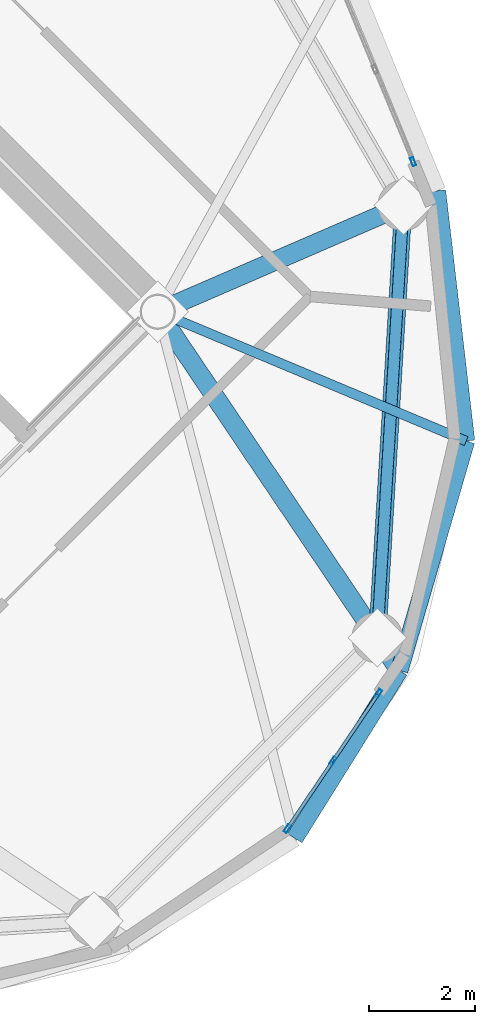
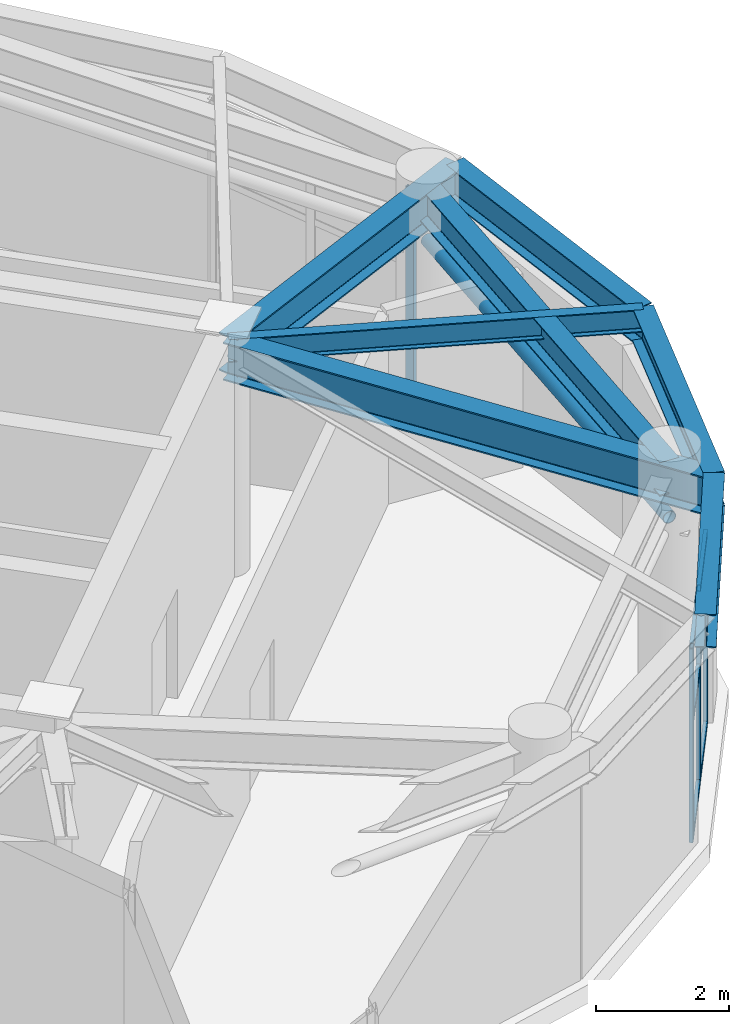
# One storey, part 19 of 26: 11 members, 7 beams, 2 elements without a shape of their own.
"""IFC4 building model written with IfcOpenShell, lengths in metres."""

from ifc_helpers import new_model, si_unit, direction, frame, origin, origin_2d, place, context, subcontext, project, spatial, hollow_rectangle, hollow_circle, i_section, extrude, material, layer, layer_set, material_profile, profile_set, type_object, element, aggregate, save


model = new_model("IFC4")

# Units and contexts
model_context = context("Model", 3, precision=1e-05, world=origin(), true_north=direction((0.0, 1.0)))
body_context = subcontext(model_context, "Body", "Model", "MODEL_VIEW")
ifc_project = project(units=[si_unit("LENGTHUNIT", "METRE"), si_unit("AREAUNIT", "SQUARE_METRE"), si_unit("VOLUMEUNIT", "CUBIC_METRE"), si_unit("PLANEANGLEUNIT", "RADIAN"), si_unit("MASSUNIT", "GRAM", prefix="KILO")], contexts=[model_context])

# Site, building, storey
site_placement = place(None, origin())
site = spatial("IfcSite", under=ifc_project, at=site_placement, CompositionType="ELEMENT")
building_placement = place(site_placement, origin())
building = spatial("IfcBuilding", under=site, at=building_placement, Name="Cununo Teusaquillo Station Towers", CompositionType="ELEMENT")
storey_placement = place(building_placement, frame((0.0, 0.0, 240.330078125)))
storey = spatial("IfcBuildingStorey", under=building, at=storey_placement, Name="L76", CompositionType="ELEMENT", Elevation=240.330078125)

# Beams
ifc_material_1 = material(Name="Steel ASTM A572 Grade 50", Category="steel")
ifc_material_profile_1 = material_profile(ifc_material_1, i_section(OverallWidth=0.180908203125, OverallDepth=0.4169921875, WebThickness=0.010986328125, FlangeThickness=0.018310546875, FilletRadius=0.012939453125, at=origin_2d()), Name="W16X57")
ifc_profile_set_1 = profile_set([ifc_material_profile_1], Name="Steel ASTM A572 Grade 50")
beam_type_1 = type_object("IfcBeamType", Name="BM-JOIST-1", PredefinedType="JOIST", material=ifc_profile_set_1)
beam_1_placement = place(storey_placement, frame((66.024169921875, 23.29443359375, 3.991455078125), z_axis=(0.922169338565, -0.386786389381, 0.0), x_axis=(0.386786389381, 0.922169338565, 0.0)))
element("IfcBeam", 1, at=beam_1_placement, inside=storey, type_object=beam_type_1, Name="L76 Tower B Radial Spandrel Joist V17", PredefinedType="JOIST", context=body_context, shape_type="SweptSolid", body=[
    extrude(i_section(OverallWidth=0.180908203125, OverallDepth=0.4169921875, WebThickness=0.010986328125, FlangeThickness=0.018310546875, FilletRadius=0.012939453125, at=origin_2d()), origin(), (0.0, 0.0, 1.0), 6.281005859375),
])
ifc_material_2 = material(Name="Steel ASTM A572 Grade 50", Category="steel")
ifc_material_profile_2 = material_profile(ifc_material_2, i_section(OverallWidth=0.35498046875, OverallDepth=0.696044921875, WebThickness=0.015380859375, FlangeThickness=0.02490234375, FilletRadius=0.01806640625, at=origin_2d()), Name="W27X146")
ifc_profile_set_2 = profile_set([ifc_material_profile_2], Name="Steel ASTM A572 Grade 50")
beam_type_2 = type_object("IfcBeamType", Name="BM-PLNT-G1", PredefinedType="BEAM", material=ifc_profile_set_2)
beam_2_placement = place(storey_placement, frame((66.024169921875, 23.29443359375, 3.851806640625), z_axis=(0.558570844079, -0.829456817529, 0.0), x_axis=(0.829456817529, 0.558570844079, 0.0)))
element("IfcBeam", 2, at=beam_2_placement, inside=storey, type_object=beam_type_2, Name="L76 Tower B Continuous Overhanging Radial Girder 09", PredefinedType="BEAM", context=body_context, shape_type="SweptSolid", body=[
    extrude(i_section(OverallWidth=0.35498046875, OverallDepth=0.696044921875, WebThickness=0.015380859375, FlangeThickness=0.02490234375, FilletRadius=0.01806640625, at=origin_2d()), origin(), (0.0, 0.0, 1.0), 8.1240234375),
])
beam_3_placement = place(storey_placement, frame((66.024169921875, 23.29443359375, 3.851806640625), z_axis=(0.917665176837, 0.397354530893, 0.0), x_axis=(-0.397354530893, 0.917665176837, 0.0)))
element("IfcBeam", 3, at=beam_3_placement, inside=storey, type_object=beam_type_2, Name="L76 Tower B Continuous Overhanging Radial Girder 10", PredefinedType="BEAM", context=body_context, shape_type="SweptSolid", body=[
    extrude(i_section(OverallWidth=0.35498046875, OverallDepth=0.696044921875, WebThickness=0.015380859375, FlangeThickness=0.02490234375, FilletRadius=0.01806640625, at=origin_2d()), origin(), (0.0, 0.0, 1.0), 5.716552734375),
])
ifc_material_3 = material(Name="Steel ASTM A572 Grade 50", Category="steel")
ifc_material_profile_3 = material_profile(ifc_material_3, i_section(OverallWidth=0.324951171875, OverallDepth=0.615966796875, WebThickness=0.013916015625, FlangeThickness=0.021484375, FilletRadius=0.01611328125, at=origin_2d()), Name="W24X117")
ifc_profile_set_3 = profile_set([ifc_material_profile_3], Name="Steel ASTM A572 Grade 50")
beam_type_3 = type_object("IfcBeamType", Name="BM-PLNT-G2", PredefinedType="BEAM", material=ifc_profile_set_3)
beam_4_placement = place(storey_placement, frame((70.146240234375, 17.173095703125, 3.891845703125), z_axis=(0.06012979176, 0.998190567048, 0.0), x_axis=(-0.998190567048, 0.06012979176, 0.0)))
element("IfcBeam", 4, at=beam_4_placement, inside=storey, type_object=beam_type_3, Name="L76 Tower B Structural Column Ring Girder 09", PredefinedType="BEAM", context=body_context, shape_type="SweptSolid", body=[
    extrude(i_section(OverallWidth=0.324951171875, OverallDepth=0.615966796875, WebThickness=0.013916015625, FlangeThickness=0.021484375, FilletRadius=0.01611328125, at=origin_2d()), origin(), (0.0, 0.0, 1.0), 8.132568359375),
])
beam_5_placement = place(storey_placement, frame((68.594482421875, 13.405517578125, 3.891845703125), z_axis=(0.529715312739, 0.848175505099, 0.0), x_axis=(-0.848175505099, 0.529715312739, 0.0)))
element("IfcBeam", 5, at=beam_5_placement, inside=storey, type_object=beam_type_3, Name="L76 Tower B Spandrel Ring Beam 16", PredefinedType="BEAM", context=body_context, shape_type="SweptSolid", body=[
    extrude(i_section(OverallWidth=0.324951171875, OverallDepth=0.615966796875, WebThickness=0.013916015625, FlangeThickness=0.021484375, FilletRadius=0.01611328125, at=origin_2d()), origin(), (0.0, 0.0, 1.0), 3.71435546875),
])
beam_6_placement = place(storey_placement, frame((70.56201171875, 16.555908203125, 3.891845703125), z_axis=(0.279502797802, 0.96014487762, 0.0), x_axis=(-0.96014487762, 0.279502797802, 0.0)))
element("IfcBeam", 6, at=beam_6_placement, inside=storey, type_object=beam_type_3, Name="L76 Tower B Spandrel Ring Beam 17", PredefinedType="BEAM", context=body_context, shape_type="SweptSolid", body=[
    extrude(i_section(OverallWidth=0.324951171875, OverallDepth=0.615966796875, WebThickness=0.013916015625, FlangeThickness=0.021484375, FilletRadius=0.01611328125, at=origin_2d()), origin(), (0.0, 0.0, 1.0), 4.488037109375),
])
beam_7_placement = place(storey_placement, frame((71.81640625, 20.864990234375, 3.891845703125), z_axis=(-0.115452326356, 0.993313022334, 0.0), x_axis=(-0.993313022334, -0.115452326356, 0.0)))
element("IfcBeam", 7, at=beam_7_placement, inside=storey, type_object=beam_type_3, Name="L76 Tower B Spandrel Ring Beam 18", PredefinedType="BEAM", context=body_context, shape_type="SweptSolid", body=[
    extrude(i_section(OverallWidth=0.324951171875, OverallDepth=0.615966796875, WebThickness=0.013916015625, FlangeThickness=0.021484375, FilletRadius=0.01611328125, at=origin_2d()), origin(), (0.0, 0.0, 1.0), 4.732666015625),
])

# Curtain wall, members
ifc_material_4 = material(Name="Ceramic-fritted dark low-E double glazing", Category="glass")
ifc_layer = layer(ifc_material_4, 0.179931640625)
ifc_layer_set = layer_set([ifc_layer], Name="Ceramic-fritted dark low-E double glazing")
curtain_wall_type = type_object("IfcCurtainWallType", Name="CW-SYS-08", PredefinedType="USERDEFINED", material=ifc_layer_set)
curtain_wall_1_placement = place(storey_placement, origin())
curtain_wall_1 = element("IfcCurtainWall", 8, at=curtain_wall_1_placement, inside=storey, type_object=curtain_wall_type, Name="L76 Tower B Crown Drum Glazed Screen C15", ObjectType="FRITTED GLAZING", PredefinedType="USERDEFINED")
ifc_material_5 = material(Name="Anodised dark bronze aluminium EN AW-6063-T6", Category="aluminium")
ifc_material_profile_4 = material_profile(ifc_material_5, hollow_rectangle(XDim=0.06494140625, YDim=0.159912109375, WallThickness=0.00390625, at=origin_2d()), Name="CW-MULL-65x160")
ifc_profile_set_4 = profile_set([ifc_material_profile_4], Name="Anodised dark bronze aluminium EN AW-6063-T6")
member_type_1 = type_object("IfcMemberType", Name="CWM-160", PredefinedType="MULLION", material=ifc_profile_set_4)
member_1_placement = place(storey_placement, frame((70.16943359375, 16.124755859375, 0.0), z_axis=(0.0, 0.0, 1.0), x_axis=(0.82882716121, -0.559504724592, 0.0)))
member_1 = element("IfcMember", 9, at=member_1_placement, type_object=member_type_1, Name="CW-08 mullion 1", PredefinedType="MULLION", context=body_context, shape_type="SweptSolid", body=[
    extrude(hollow_rectangle(XDim=0.06494140625, YDim=0.159912109375, WallThickness=0.00390625, at=origin_2d()), origin(), (0.0, 0.0, 1.0), 3.555908203125),
])
member_2_placement = place(storey_placement, frame((69.313232421875, 14.8564453125, 0.0), z_axis=(0.0, 0.0, 1.0), x_axis=(0.82882716121, -0.559504724592, 0.0)))
member_2 = element("IfcMember", 10, at=member_2_placement, type_object=member_type_1, Name="CW-08 mullion 2", PredefinedType="MULLION", context=body_context, shape_type="SweptSolid", body=[
    extrude(hollow_rectangle(XDim=0.06494140625, YDim=0.159912109375, WallThickness=0.00390625, at=origin_2d()), origin(), (0.0, 0.0, 1.0), 3.555908203125),
])
member_3_placement = place(storey_placement, frame((68.45703125, 13.588134765625, 0.0), z_axis=(0.0, 0.0, 1.0), x_axis=(0.82882716121, -0.559504724592, 0.0)))
member_3 = element("IfcMember", 11, at=member_3_placement, type_object=member_type_1, Name="CW-08 mullion 3", PredefinedType="MULLION", context=body_context, shape_type="SweptSolid", body=[
    extrude(hollow_rectangle(XDim=0.06494140625, YDim=0.159912109375, WallThickness=0.00390625, at=origin_2d()), origin(), (0.0, 0.0, 1.0), 3.555908203125),
])

# Curtain wall, member
curtain_wall_2_placement = place(storey_placement, origin())
curtain_wall_2 = element("IfcCurtainWall", 12, at=curtain_wall_2_placement, inside=storey, type_object=curtain_wall_type, Name="L76 Tower B Crown Drum Glazed Screen C18", ObjectType="FRITTED GLAZING", PredefinedType="USERDEFINED")
member_4_placement = place(storey_placement, frame((70.818359375, 26.111328125, 0.0), z_axis=(0.0, 0.0, 1.0), x_axis=(0.924447019904, 0.381310513086, 0.0)))
member_4 = element("IfcMember", 13, at=member_4_placement, type_object=member_type_1, Name="CW-08 mullion 3", PredefinedType="MULLION", context=body_context, shape_type="SweptSolid", body=[
    extrude(hollow_rectangle(XDim=0.06494140625, YDim=0.159912109375, WallThickness=0.00390625, at=origin_2d()), origin(), (0.0, 0.0, 1.0), 3.555908203125),
])
aggregate(curtain_wall_2, [member_4])

# Member
ifc_material_6 = material(Name="Anodised dark bronze aluminium EN AW-6063-T6", Category="aluminium")
ifc_material_profile_5 = material_profile(ifc_material_6, hollow_rectangle(XDim=0.06494140625, YDim=0.1201171875, WallThickness=0.00390625, at=origin_2d()), Name="CW-TRAN-65x120")
ifc_profile_set_5 = profile_set([ifc_material_profile_5], Name="Anodised dark bronze aluminium EN AW-6063-T6")
member_type_2 = type_object("IfcMemberType", Name="CWT-120", PredefinedType="USERDEFINED", material=ifc_profile_set_5)
member_5_placement = place(storey_placement, frame((70.1513671875, 16.097900390625, 0.032470703125), z_axis=(-0.559458547946, -0.828858331158, 0.0), x_axis=(0.828858331158, -0.559458547946, 0.0)))
member_5 = element("IfcMember", 14, at=member_5_placement, type_object=member_type_2, Name="CW-08 transom 1.1", ObjectType="TRANSOM", PredefinedType="USERDEFINED", context=body_context, shape_type="SweptSolid", body=[
    extrude(hollow_rectangle(XDim=0.06494140625, YDim=0.1201171875, WallThickness=0.00390625, at=origin_2d()), origin(), (0.0, 0.0, 1.0), 1.46533203125),
])

member_6_placement = place(storey_placement, frame((70.1513671875, 16.097900390625, 2.14990234375), z_axis=(-0.559458547946, -0.828858331158, 0.0), x_axis=(0.828858331158, -0.559458547946, 0.0)))
member_6 = element("IfcMember", 15, at=member_6_placement, type_object=member_type_2, Name="CW-08 transom 1.2", ObjectType="TRANSOM", PredefinedType="USERDEFINED", context=body_context, shape_type="SweptSolid", body=[
    extrude(hollow_rectangle(XDim=0.06494140625, YDim=0.1201171875, WallThickness=0.00390625, at=origin_2d()), origin(), (0.0, 0.0, 1.0), 1.46533203125),
])

member_7_placement = place(storey_placement, frame((70.1513671875, 16.097900390625, 3.5234375), z_axis=(-0.559458547946, -0.828858331158, 0.0), x_axis=(0.828858331158, -0.559458547946, 0.0)))
member_7 = element("IfcMember", 16, at=member_7_placement, type_object=member_type_2, Name="CW-08 transom 1.3", ObjectType="TRANSOM", PredefinedType="USERDEFINED", context=body_context, shape_type="SweptSolid", body=[
    extrude(hollow_rectangle(XDim=0.06494140625, YDim=0.1201171875, WallThickness=0.00390625, at=origin_2d()), origin(), (0.0, 0.0, 1.0), 1.46533203125),
])

member_8_placement = place(storey_placement, frame((69.295166015625, 14.829345703125, 0.032470703125), z_axis=(-0.559535812758, -0.828806174109, 0.0), x_axis=(0.828806174109, -0.559535812758, 0.0)))
member_8 = element("IfcMember", 17, at=member_8_placement, type_object=member_type_2, Name="CW-08 transom 2.1", ObjectType="TRANSOM", PredefinedType="USERDEFINED", context=body_context, shape_type="SweptSolid", body=[
    extrude(hollow_rectangle(XDim=0.06494140625, YDim=0.1201171875, WallThickness=0.00390625, at=origin_2d()), origin(), (0.0, 0.0, 1.0), 1.465087890625),
])

member_9_placement = place(storey_placement, frame((69.295166015625, 14.829345703125, 2.14990234375), z_axis=(-0.559535812758, -0.828806174109, 0.0), x_axis=(0.828806174109, -0.559535812758, 0.0)))
member_9 = element("IfcMember", 18, at=member_9_placement, type_object=member_type_2, Name="CW-08 transom 2.2", ObjectType="TRANSOM", PredefinedType="USERDEFINED", context=body_context, shape_type="SweptSolid", body=[
    extrude(hollow_rectangle(XDim=0.06494140625, YDim=0.1201171875, WallThickness=0.00390625, at=origin_2d()), origin(), (0.0, 0.0, 1.0), 1.465087890625),
])

member_10_placement = place(storey_placement, frame((69.295166015625, 14.829345703125, 3.5234375), z_axis=(-0.559535812758, -0.828806174109, 0.0), x_axis=(0.828806174109, -0.559535812758, 0.0)))
member_10 = element("IfcMember", 19, at=member_10_placement, type_object=member_type_2, Name="CW-08 transom 2.3", ObjectType="TRANSOM", PredefinedType="USERDEFINED", context=body_context, shape_type="SweptSolid", body=[
    extrude(hollow_rectangle(XDim=0.06494140625, YDim=0.1201171875, WallThickness=0.00390625, at=origin_2d()), origin(), (0.0, 0.0, 1.0), 1.465087890625),
])

aggregate(curtain_wall_1, [member_1, member_2, member_3, member_5, member_6, member_7, member_8, member_9, member_10])

ifc_material_7 = material(Name="Steel EN 10025-2 S355J2", Category="steel")
ifc_material_profile_6 = material_profile(ifc_material_7, hollow_circle(Radius=0.109619140625, WallThickness=0.010009765625, at=origin_2d()), Name="CHS 219x10")
ifc_profile_set_6 = profile_set([ifc_material_profile_6], Name="Steel EN 10025-2 S355J2")
member_type_3 = type_object("IfcMemberType", Name="MBR-DRUM-COL", PredefinedType="COLLAR", material=ifc_profile_set_6)
member_11_placement = place(storey_placement, frame((70.146240234375, 17.173095703125, 3.14990234375), z_axis=(0.06012979176, 0.998190567048, 0.0), x_axis=(-0.998190567048, 0.06012979176, 0.0)))
element("IfcMember", 20, at=member_11_placement, inside=storey, type_object=member_type_3, Name="L76 Tower B Crown Drum Collar 09", PredefinedType="COLLAR", context=body_context, shape_type="SweptSolid", body=[
    extrude(hollow_circle(Radius=0.109619140625, WallThickness=0.010009765625, at=origin_2d()), origin(), (0.0, 0.0, 1.0), 8.132568359375),
])

save(model, "model.ifc")
